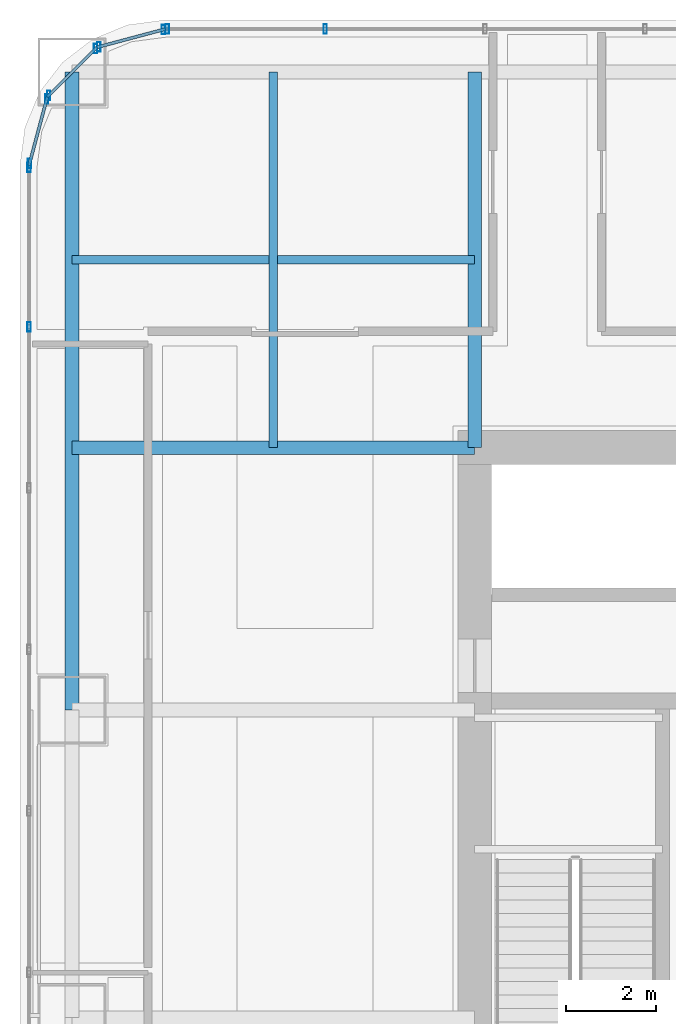
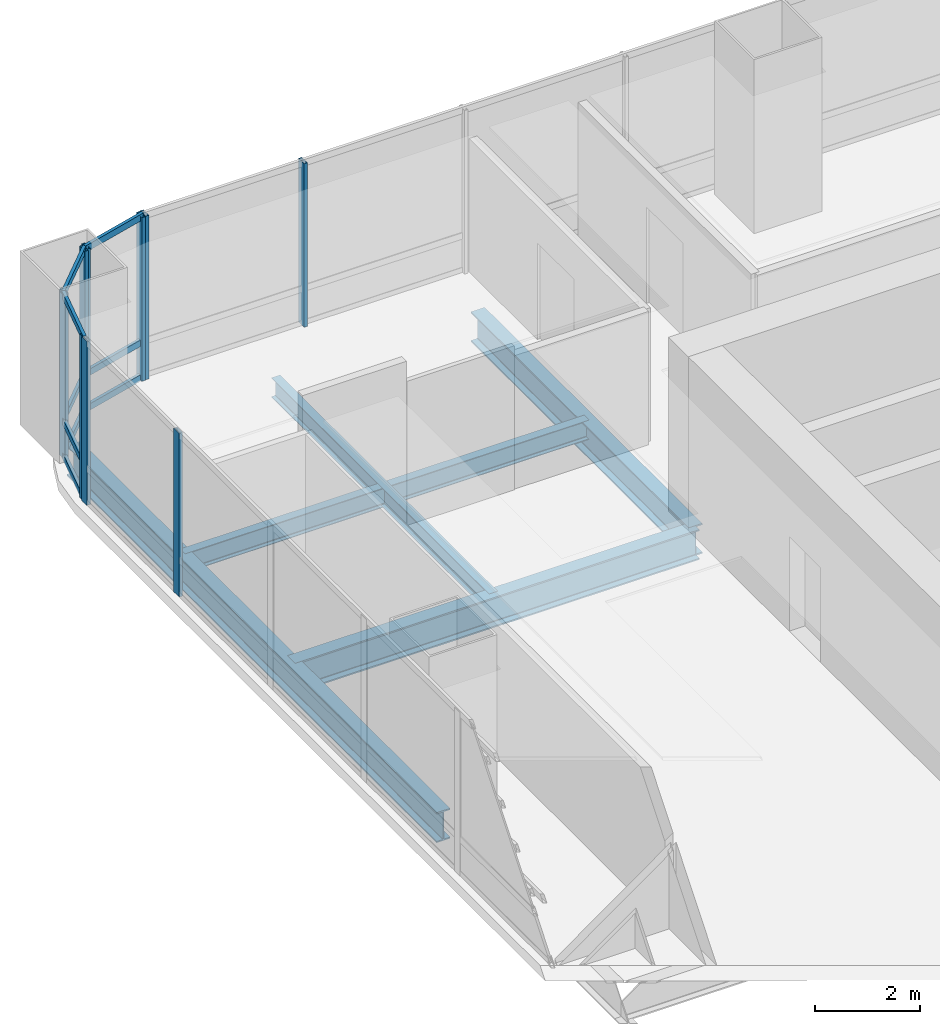
# One storey, part 18 of 35: 19 members, 5 beams, 5 elements without a shape of their own.
"""IFC4 building model written with IfcOpenShell, lengths in metres."""

from ifc_helpers import new_model, si_unit, direction, frame, origin, origin_2d, place, context, subcontext, project, spatial, hollow_rectangle, i_section, extrude, material, material_profile, profile_set, type_object, element, aggregate, save


model = new_model("IFC4")

# Units and contexts
model_context = context("Model", 3, precision=1e-05, world=origin(), true_north=direction((0.0, 1.0)))
body_context = subcontext(model_context, "Body", "Model", "MODEL_VIEW")
ifc_project = project(units=[si_unit("LENGTHUNIT", "METRE"), si_unit("AREAUNIT", "SQUARE_METRE"), si_unit("VOLUMEUNIT", "CUBIC_METRE"), si_unit("PLANEANGLEUNIT", "RADIAN"), si_unit("MASSUNIT", "GRAM", prefix="KILO")], contexts=[model_context])

# Site, building, storey
site_placement = place(None, origin())
site = spatial("IfcSite", under=ifc_project, at=site_placement, CompositionType="ELEMENT")
building_placement = place(site_placement, origin())
building = spatial("IfcBuilding", under=site, at=building_placement, Name="Punatoya Terracotta Tower", CompositionType="ELEMENT")
storey_placement = place(building_placement, frame((0.0, 0.0, 72.75)))
storey = spatial("IfcBuildingStorey", under=building, at=storey_placement, Name="L16", CompositionType="ELEMENT", Elevation=72.75)

# Beams
ifc_material_1 = material(Name="Steel S355", Category="steel")
ifc_material_profile_1 = material_profile(ifc_material_1, i_section(OverallWidth=0.300048828125, OverallDepth=0.699951171875, WebThickness=0.01708984375, FlangeThickness=0.031982421875, FilletRadius=0.01806640625, at=origin_2d()))
ifc_profile_set_1 = profile_set([ifc_material_profile_1], Name="Steel S355")
beam_type_1 = type_object("IfcBeamType", Name="BM-PRI-700", PredefinedType="BEAM", material=ifc_profile_set_1)
beam_1_placement = place(storey_placement, frame((-19.10009765625, 3.39990234375, -0.590087890625), z_axis=(0.0, 1.0, 0.0), x_axis=(-1.0, 0.0, 0.0)))
element("IfcBeam", 1, at=beam_1_placement, inside=storey, type_object=beam_type_1, Name="BM-L16-RG-W3", PredefinedType="BEAM", context=body_context, shape_type="SweptSolid", body=[
    extrude(i_section(OverallWidth=0.300048828125, OverallDepth=0.699951171875, WebThickness=0.01708984375, FlangeThickness=0.031982421875, FilletRadius=0.01806640625, at=origin_2d()), origin(), (0.0, 0.0, 1.0), 14.10009765625),
])
beam_2_placement = place(storey_placement, frame((-19.10009765625, 9.199951171875, -0.590087890625), z_axis=(1.0, 0.0, 0.0), x_axis=(0.0, 1.0, 0.0)))
element("IfcBeam", 2, at=beam_2_placement, inside=storey, type_object=beam_type_1, Name="BM-L16-PR-WN", PredefinedType="BEAM", context=body_context, shape_type="SweptSolid", body=[
    extrude(i_section(OverallWidth=0.300048828125, OverallDepth=0.699951171875, WebThickness=0.01708984375, FlangeThickness=0.031982421875, FilletRadius=0.01806640625, at=origin_2d()), origin(), (0.0, 0.0, 1.0), 8.900146484375),
])
beam_3_placement = place(storey_placement, frame((-10.199951171875, 9.199951171875, -0.590087890625), z_axis=(0.0, 1.0, 0.0), x_axis=(-1.0, 0.0, 0.0)))
element("IfcBeam", 3, at=beam_3_placement, inside=storey, type_object=beam_type_1, Name="BM-L16-PR-N1", PredefinedType="BEAM", context=body_context, shape_type="SweptSolid", body=[
    extrude(i_section(OverallWidth=0.300048828125, OverallDepth=0.699951171875, WebThickness=0.01708984375, FlangeThickness=0.031982421875, FilletRadius=0.01806640625, at=origin_2d()), origin(), (0.0, 0.0, 1.0), 8.300048828125),
])
ifc_material_profile_2 = material_profile(ifc_material_1, i_section(OverallWidth=0.18994140625, OverallDepth=0.449951171875, WebThickness=0.009521484375, FlangeThickness=0.0146484375, FilletRadius=0.01806640625, at=origin_2d()))
ifc_profile_set_2 = profile_set([ifc_material_profile_2], Name="Steel S355")
beam_type_2 = type_object("IfcBeamType", Name="BM-SEC-450", PredefinedType="JOIST", material=ifc_profile_set_2)
beam_4_placement = place(storey_placement, frame((-19.10009765625, 13.35009765625, -0.465087890625), z_axis=(1.0, 0.0, 0.0), x_axis=(0.0, 1.0, 0.0)))
element("IfcBeam", 4, at=beam_4_placement, inside=storey, type_object=beam_type_2, Name="BM-L16-SJN-1", PredefinedType="JOIST", context=body_context, shape_type="SweptSolid", body=[
    extrude(i_section(OverallWidth=0.18994140625, OverallDepth=0.449951171875, WebThickness=0.009521484375, FlangeThickness=0.0146484375, FilletRadius=0.01806640625, at=origin_2d()), origin(), (0.0, 0.0, 1.0), 8.900146484375),
])
beam_5_placement = place(storey_placement, frame((-14.64990234375, 9.199951171875, -0.465087890625), z_axis=(0.0, 1.0, 0.0), x_axis=(-1.0, 0.0, 0.0)))
element("IfcBeam", 5, at=beam_5_placement, inside=storey, type_object=beam_type_2, Name="BM-L16-SJW-2", PredefinedType="JOIST", context=body_context, shape_type="SweptSolid", body=[
    extrude(i_section(OverallWidth=0.18994140625, OverallDepth=0.449951171875, WebThickness=0.009521484375, FlangeThickness=0.0146484375, FilletRadius=0.01806640625, at=origin_2d()), origin(), (0.0, 0.0, 1.0), 8.300048828125),
])

# Curtain wall, members
ifc_material_2 = material(Name="Aluminium 6063-T6 + Double Low-E Glass", Category="aluminium")
curtain_wall_type = type_object("IfcCurtainWallType", Name="CW-M1", PredefinedType="NOTDEFINED", material=ifc_material_2)
curtain_wall_1_placement = place(storey_placement, origin())
curtain_wall_1 = element("IfcCurtainWall", 6, at=curtain_wall_1_placement, inside=storey, type_object=curtain_wall_type, Name="L16 Curtain Wall CW-L16-N09-1", PredefinedType="NOTDEFINED")
ifc_material_3 = material(Name="Aluminium 6063-T6", Category="aluminium")
ifc_material_profile_3 = material_profile(ifc_material_3, hollow_rectangle(XDim=0.074951171875, YDim=0.2099609375, WallThickness=0.00439453125, at=origin_2d()))
ifc_profile_set_3 = profile_set([ifc_material_profile_3], Name="Aluminium 6063-T6")
member_type_1 = type_object("IfcMemberType", Name="CW-MUL-M1", PredefinedType="MULLION", material=ifc_profile_set_3)
member_1_placement = place(storey_placement, frame((-13.5029296875, 18.449951171875, 0.0), z_axis=(0.0, 0.0, 1.0), x_axis=(1.0, 0.0, 0.0)))
member_1 = element("IfcMember", 7, at=member_1_placement, type_object=member_type_1, Name="CW-L16-N09-1 Mullion 10", PredefinedType="MULLION", context=body_context, shape_type="SweptSolid", body=[
    extrude(hollow_rectangle(XDim=0.074951171875, YDim=0.2099609375, WallThickness=0.00439453125, at=origin_2d()), origin(), (0.0, 0.0, 1.0), 3.81005859375),
])
member_2_placement = place(storey_placement, frame((-16.991943359375, 18.449951171875, 0.0), z_axis=(0.0, 0.0, 1.0), x_axis=(1.0, 0.0, 0.0)))
member_2 = element("IfcMember", 8, at=member_2_placement, type_object=member_type_1, Name="CW-L16-N09-1 Mullion 11", PredefinedType="MULLION", context=body_context, shape_type="SweptSolid", body=[
    extrude(hollow_rectangle(XDim=0.074951171875, YDim=0.2099609375, WallThickness=0.00439453125, at=origin_2d()), origin(), (0.0, 0.0, 1.0), 3.81005859375),
])
aggregate(curtain_wall_1, [member_1, member_2])

curtain_wall_2_placement = place(storey_placement, origin())
curtain_wall_2 = element("IfcCurtainWall", 9, at=curtain_wall_2_placement, inside=storey, type_object=curtain_wall_type, Name="L16 Curtain Wall CW-L16-CRN10", PredefinedType="NOTDEFINED")
member_3_placement = place(storey_placement, frame((-17.080322265625, 18.4384765625, 0.0), z_axis=(0.0, 0.0, 1.0), x_axis=(1.0, 0.0, 0.0)))
member_3 = element("IfcMember", 10, at=member_3_placement, type_object=member_type_1, Name="CW-L16-CRN10 Mullion 00", PredefinedType="MULLION", context=body_context, shape_type="SweptSolid", body=[
    extrude(hollow_rectangle(XDim=0.074951171875, YDim=0.2099609375, WallThickness=0.00439453125, at=origin_2d()), origin(), (0.0, 0.0, 1.0), 3.81005859375),
])
member_4_placement = place(storey_placement, frame((-18.505615234375, 18.05810546875, 0.0), z_axis=(0.0, 0.0, 1.0), x_axis=(1.0, 0.0, 0.0)))
member_4 = element("IfcMember", 11, at=member_4_placement, type_object=member_type_1, Name="CW-L16-CRN10 Mullion 01", PredefinedType="MULLION", context=body_context, shape_type="SweptSolid", body=[
    extrude(hollow_rectangle(XDim=0.074951171875, YDim=0.2099609375, WallThickness=0.00439453125, at=origin_2d()), origin(), (0.0, 0.0, 1.0), 3.81005859375),
])

curtain_wall_3_placement = place(storey_placement, origin())
curtain_wall_3 = element("IfcCurtainWall", 12, at=curtain_wall_3_placement, inside=storey, type_object=curtain_wall_type, Name="L16 Curtain Wall CW-L16-CRN11", PredefinedType="NOTDEFINED")
member_5_placement = place(storey_placement, frame((-18.580810546875, 18.014892578125, 0.0), z_axis=(0.0, 0.0, 1.0), x_axis=(1.0, 0.0, 0.0)))
member_5 = element("IfcMember", 13, at=member_5_placement, type_object=member_type_1, Name="CW-L16-CRN11 Mullion 00", PredefinedType="MULLION", context=body_context, shape_type="SweptSolid", body=[
    extrude(hollow_rectangle(XDim=0.074951171875, YDim=0.2099609375, WallThickness=0.00439453125, at=origin_2d()), origin(), (0.0, 0.0, 1.0), 3.81005859375),
])
member_6_placement = place(storey_placement, frame((-19.61474609375, 16.98095703125, 0.0), z_axis=(0.0, 0.0, 1.0), x_axis=(1.0, 0.0, 0.0)))
member_6 = element("IfcMember", 14, at=member_6_placement, type_object=member_type_1, Name="CW-L16-CRN11 Mullion 01", PredefinedType="MULLION", context=body_context, shape_type="SweptSolid", body=[
    extrude(hollow_rectangle(XDim=0.074951171875, YDim=0.2099609375, WallThickness=0.00439453125, at=origin_2d()), origin(), (0.0, 0.0, 1.0), 3.81005859375),
])

curtain_wall_4_placement = place(storey_placement, origin())
curtain_wall_4 = element("IfcCurtainWall", 15, at=curtain_wall_4_placement, inside=storey, type_object=curtain_wall_type, Name="L16 Curtain Wall CW-L16-CRN12", PredefinedType="NOTDEFINED")
member_7_placement = place(storey_placement, frame((-19.658203125, 16.905517578125, 0.0), z_axis=(0.0, 0.0, 1.0), x_axis=(1.0, 0.0, 0.0)))
member_7 = element("IfcMember", 16, at=member_7_placement, type_object=member_type_1, Name="CW-L16-CRN12 Mullion 00", PredefinedType="MULLION", context=body_context, shape_type="SweptSolid", body=[
    extrude(hollow_rectangle(XDim=0.074951171875, YDim=0.2099609375, WallThickness=0.00439453125, at=origin_2d()), origin(), (0.0, 0.0, 1.0), 3.81005859375),
])
member_8_placement = place(storey_placement, frame((-20.038330078125, 15.48046875, 0.0), z_axis=(0.0, 0.0, 1.0), x_axis=(1.0, 0.0, 0.0)))
member_8 = element("IfcMember", 17, at=member_8_placement, type_object=member_type_1, Name="CW-L16-CRN12 Mullion 01", PredefinedType="MULLION", context=body_context, shape_type="SweptSolid", body=[
    extrude(hollow_rectangle(XDim=0.074951171875, YDim=0.2099609375, WallThickness=0.00439453125, at=origin_2d()), origin(), (0.0, 0.0, 1.0), 3.81005859375),
])

curtain_wall_5_placement = place(storey_placement, origin())
curtain_wall_5 = element("IfcCurtainWall", 18, at=curtain_wall_5_placement, inside=storey, type_object=curtain_wall_type, Name="L16 Curtain Wall CW-L16-W13-1", PredefinedType="NOTDEFINED")
member_9_placement = place(storey_placement, frame((-20.050048828125, 15.391845703125, 0.0), z_axis=(0.0, 0.0, 1.0), x_axis=(1.0, 0.0, 0.0)))
member_9 = element("IfcMember", 19, at=member_9_placement, type_object=member_type_1, Name="CW-L16-W13-1 Mullion 00", PredefinedType="MULLION", context=body_context, shape_type="SweptSolid", body=[
    extrude(hollow_rectangle(XDim=0.074951171875, YDim=0.2099609375, WallThickness=0.00439453125, at=origin_2d()), origin(), (0.0, 0.0, 1.0), 3.81005859375),
])
member_10_placement = place(storey_placement, frame((-20.050048828125, 11.869384765625, 0.0), z_axis=(0.0, 0.0, 1.0), x_axis=(1.0, 0.0, 0.0)))
member_10 = element("IfcMember", 20, at=member_10_placement, type_object=member_type_1, Name="CW-L16-W13-1 Mullion 01", PredefinedType="MULLION", context=body_context, shape_type="SweptSolid", body=[
    extrude(hollow_rectangle(XDim=0.074951171875, YDim=0.2099609375, WallThickness=0.00439453125, at=origin_2d()), origin(), (0.0, 0.0, 1.0), 3.81005859375),
])
aggregate(curtain_wall_5, [member_9, member_10])

# Member
ifc_material_profile_4 = material_profile(ifc_material_3, hollow_rectangle(XDim=0.068115234375, YDim=0.14990234375, WallThickness=0.00390625, at=origin_2d()))
ifc_profile_set_4 = profile_set([ifc_material_profile_4], Name="Aluminium 6063-T6")
member_type_2 = type_object("IfcMemberType", Name="CW-TRN-TYP", PredefinedType="USERDEFINED", material=ifc_profile_set_4)
member_11_placement = place(storey_placement, frame((-17.036865234375, 18.449951171875, 0.0400390625), z_axis=(-0.966224582397, -0.257701486942, 0.0), x_axis=(0.257701486942, -0.966224582397, 0.0)))
member_11 = element("IfcMember", 21, at=member_11_placement, type_object=member_type_2, Name="CW-L16-CRN10 Transom 1", ObjectType="TRANSOM", PredefinedType="USERDEFINED", context=body_context, shape_type="SweptSolid", body=[
    extrude(hollow_rectangle(XDim=0.068115234375, YDim=0.14990234375, WallThickness=0.00390625, at=origin_2d()), origin(), (0.0, 0.0, 1.0), 1.565185546875),
])

member_12_placement = place(storey_placement, frame((-17.036865234375, 18.449951171875, 0.85009765625), z_axis=(-0.966224582397, -0.257701486942, 0.0), x_axis=(0.257701486942, -0.966224582397, 0.0)))
member_12 = element("IfcMember", 22, at=member_12_placement, type_object=member_type_2, Name="CW-L16-CRN10 Transom 2", ObjectType="TRANSOM", PredefinedType="USERDEFINED", context=body_context, shape_type="SweptSolid", body=[
    extrude(hollow_rectangle(XDim=0.068115234375, YDim=0.14990234375, WallThickness=0.00390625, at=origin_2d()), origin(), (0.0, 0.0, 1.0), 1.565185546875),
])

member_13_placement = place(storey_placement, frame((-17.036865234375, 18.449951171875, 3.77001953125), z_axis=(-0.966224582397, -0.257701486942, 0.0), x_axis=(0.257701486942, -0.966224582397, 0.0)))
member_13 = element("IfcMember", 23, at=member_13_placement, type_object=member_type_2, Name="CW-L16-CRN10 Transom 3", ObjectType="TRANSOM", PredefinedType="USERDEFINED", context=body_context, shape_type="SweptSolid", body=[
    extrude(hollow_rectangle(XDim=0.068115234375, YDim=0.14990234375, WallThickness=0.00390625, at=origin_2d()), origin(), (0.0, 0.0, 1.0), 1.565185546875),
])

aggregate(curtain_wall_2, [member_3, member_4, member_11, member_12, member_13])

member_14_placement = place(storey_placement, frame((-18.549072265625, 18.046630859375, 0.0400390625), z_axis=(-0.707106781187, -0.707106781187, 0.0), x_axis=(0.707106781187, -0.707106781187, 0.0)))
member_14 = element("IfcMember", 24, at=member_14_placement, type_object=member_type_2, Name="CW-L16-CRN11 Transom 1", ObjectType="TRANSOM", PredefinedType="USERDEFINED", context=body_context, shape_type="SweptSolid", body=[
    extrude(hollow_rectangle(XDim=0.068115234375, YDim=0.14990234375, WallThickness=0.00390625, at=origin_2d()), origin(), (0.0, 0.0, 1.0), 1.552001953125),
])

member_15_placement = place(storey_placement, frame((-18.549072265625, 18.046630859375, 0.85009765625), z_axis=(-0.707106781187, -0.707106781187, 0.0), x_axis=(0.707106781187, -0.707106781187, 0.0)))
member_15 = element("IfcMember", 25, at=member_15_placement, type_object=member_type_2, Name="CW-L16-CRN11 Transom 2", ObjectType="TRANSOM", PredefinedType="USERDEFINED", context=body_context, shape_type="SweptSolid", body=[
    extrude(hollow_rectangle(XDim=0.068115234375, YDim=0.14990234375, WallThickness=0.00390625, at=origin_2d()), origin(), (0.0, 0.0, 1.0), 1.552001953125),
])

member_16_placement = place(storey_placement, frame((-18.549072265625, 18.046630859375, 3.77001953125), z_axis=(-0.707106781187, -0.707106781187, 0.0), x_axis=(0.707106781187, -0.707106781187, 0.0)))
member_16 = element("IfcMember", 26, at=member_16_placement, type_object=member_type_2, Name="CW-L16-CRN11 Transom 3", ObjectType="TRANSOM", PredefinedType="USERDEFINED", context=body_context, shape_type="SweptSolid", body=[
    extrude(hollow_rectangle(XDim=0.068115234375, YDim=0.14990234375, WallThickness=0.00390625, at=origin_2d()), origin(), (0.0, 0.0, 1.0), 1.552001953125),
])

aggregate(curtain_wall_3, [member_5, member_6, member_14, member_15, member_16])

member_17_placement = place(storey_placement, frame((-19.646484375, 16.94921875, 0.0400390625), z_axis=(-0.257847112249, -0.966185730957, 0.0), x_axis=(0.966185730957, -0.257847112249, 0.0)))
member_17 = element("IfcMember", 27, at=member_17_placement, type_object=member_type_2, Name="CW-L16-CRN12 Transom 1", ObjectType="TRANSOM", PredefinedType="USERDEFINED", context=body_context, shape_type="SweptSolid", body=[
    extrude(hollow_rectangle(XDim=0.068115234375, YDim=0.14990234375, WallThickness=0.00390625, at=origin_2d()), origin(), (0.0, 0.0, 1.0), 1.565185546875),
])

member_18_placement = place(storey_placement, frame((-19.646484375, 16.94921875, 0.85009765625), z_axis=(-0.257847112249, -0.966185730957, 0.0), x_axis=(0.966185730957, -0.257847112249, 0.0)))
member_18 = element("IfcMember", 28, at=member_18_placement, type_object=member_type_2, Name="CW-L16-CRN12 Transom 2", ObjectType="TRANSOM", PredefinedType="USERDEFINED", context=body_context, shape_type="SweptSolid", body=[
    extrude(hollow_rectangle(XDim=0.068115234375, YDim=0.14990234375, WallThickness=0.00390625, at=origin_2d()), origin(), (0.0, 0.0, 1.0), 1.565185546875),
])

member_19_placement = place(storey_placement, frame((-19.646484375, 16.94921875, 3.77001953125), z_axis=(-0.257847112249, -0.966185730957, 0.0), x_axis=(0.966185730957, -0.257847112249, 0.0)))
member_19 = element("IfcMember", 29, at=member_19_placement, type_object=member_type_2, Name="CW-L16-CRN12 Transom 3", ObjectType="TRANSOM", PredefinedType="USERDEFINED", context=body_context, shape_type="SweptSolid", body=[
    extrude(hollow_rectangle(XDim=0.068115234375, YDim=0.14990234375, WallThickness=0.00390625, at=origin_2d()), origin(), (0.0, 0.0, 1.0), 1.565185546875),
])

aggregate(curtain_wall_4, [member_7, member_8, member_17, member_18, member_19])

save(model, "model.ifc")
